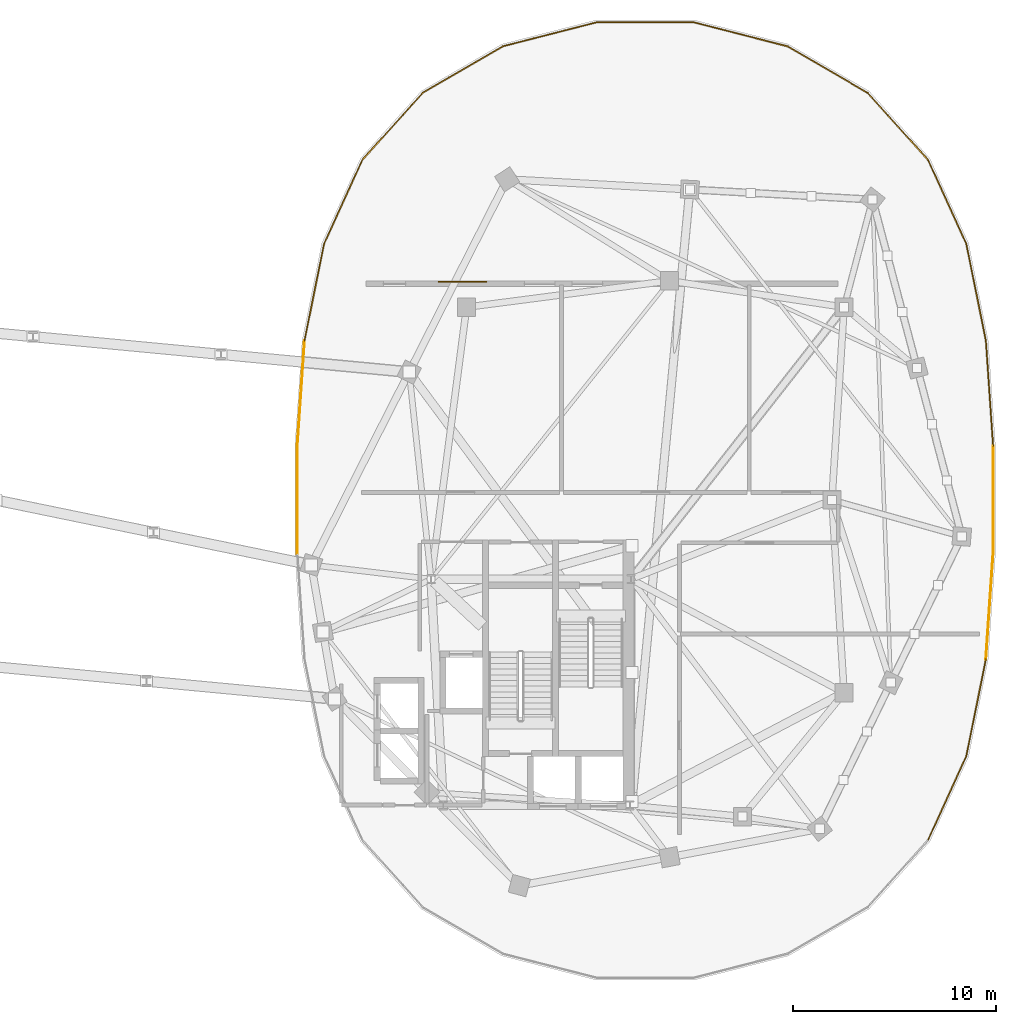
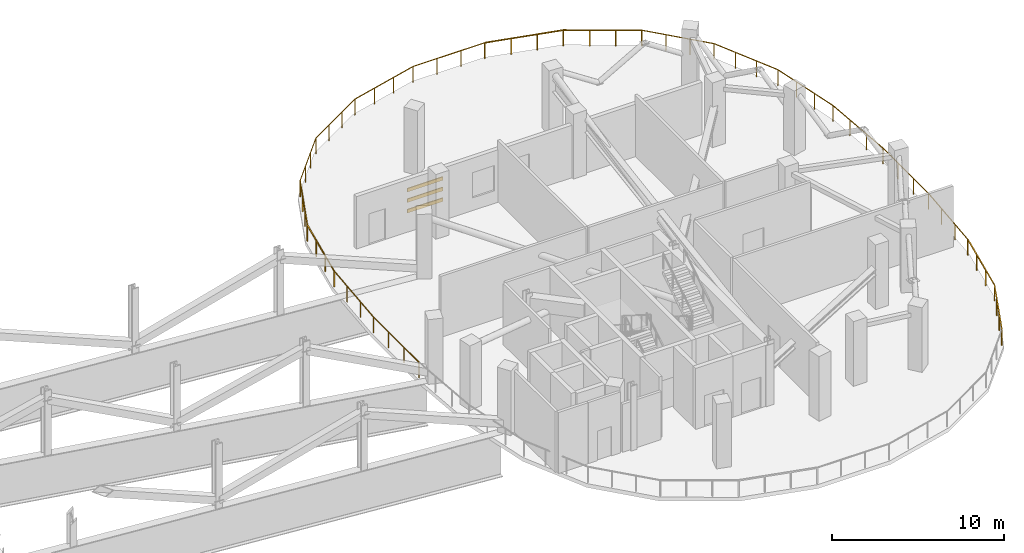
# One storey, part 16 of 16: 9 railings, 3 shading devices.
"""IFC4 building model written with IfcOpenShell, lengths in metres."""

from ifc_helpers import new_model, si_unit, direction, frame, origin, origin_2d, place, context, subcontext, project, spatial, rectangle, extrude, material, material_profile, profile_set, type_object, element, save


model = new_model("IFC4")

# Units and contexts
model_context = context("Model", 3, precision=1e-05, world=origin(), true_north=direction((0.0, 1.0)))
body_context = subcontext(model_context, "Body", "Model", "MODEL_VIEW")
ifc_project = project(units=[si_unit("LENGTHUNIT", "METRE"), si_unit("AREAUNIT", "SQUARE_METRE"), si_unit("VOLUMEUNIT", "CUBIC_METRE"), si_unit("PLANEANGLEUNIT", "RADIAN"), si_unit("MASSUNIT", "GRAM", prefix="KILO"), si_unit("THERMODYNAMICTEMPERATUREUNIT", "KELVIN"), si_unit("POWERUNIT", "WATT")], contexts=[model_context])

# Site, building, storey
site_placement = place(None, origin())
site = spatial("IfcSite", under=ifc_project, at=site_placement, CompositionType="ELEMENT")
building_placement = place(site_placement, origin())
building = spatial("IfcBuilding", under=site, at=building_placement, Name="Cundina Bronze Exchange", CompositionType="ELEMENT")
storey_placement = place(building_placement, frame((0.0, 0.0, 235.0)))
storey = spatial("IfcBuildingStorey", under=building, at=storey_placement, Name="L62", CompositionType="ELEMENT", Elevation=235.0)

# Railings
ifc_material = material(Name="Anodised Bronze Aluminium 6063-T6", Category="aluminium")
railing_type = type_object("IfcRailingType", Name="RLG-GRD-1150", PredefinedType="GUARDRAIL", material=ifc_material)
railing_1_placement = place(storey_placement, frame((49.14208984375, 2.660888671875, 0.0)))
element("IfcRailing", 1, at=railing_1_placement, inside=storey, type_object=railing_type, Name="L62 Perimeter Safety Guardrail 01", PredefinedType="GUARDRAIL", context=body_context, shape_type="SweptSolid", body=[
    extrude(rectangle(XDim=0.048095703125, YDim=0.048095703125, at=origin_2d()), frame((0.0, 0.0, 1.1259765625), z_axis=(0.0, -1.0, 0.0), x_axis=(1.0, 0.0, 0.0)), (0.0, 0.0, 1.0), 5.32177734375),
    extrude(rectangle(XDim=0.048095703125, YDim=0.048095703125, at=origin_2d()), frame((0.0, -5.32177734375, 1.1259765625), z_axis=(-0.068548934488, -0.997647755263, 0.0), x_axis=(0.997647755263, -0.068548934488, 0.0)), (0.0, 0.0, 1.0), 5.1962890625),
    extrude(rectangle(XDim=0.0419921875, YDim=0.0419921875, at=origin_2d()), origin(), (0.0, 0.0, 1.0), 1.101806640625),
    extrude(rectangle(XDim=0.0419921875, YDim=0.0419921875, at=origin_2d()), frame((0.0, -1.77392578125, 0.0)), (0.0, 0.0, 1.0), 1.101806640625),
    extrude(rectangle(XDim=0.0419921875, YDim=0.0419921875, at=origin_2d()), frame((0.0, -3.5478515625, 0.0)), (0.0, 0.0, 1.0), 1.101806640625),
    extrude(rectangle(XDim=0.0419921875, YDim=0.0419921875, at=origin_2d()), frame((0.0, -5.32177734375, 0.0)), (0.0, 0.0, 1.0), 1.101806640625),
    extrude(rectangle(XDim=0.0419921875, YDim=0.0419921875, at=origin_2d()), frame((-0.11865234375, -7.0498046875, 0.0)), (0.0, 0.0, 1.0), 1.101806640625),
    extrude(rectangle(XDim=0.0419921875, YDim=0.0419921875, at=origin_2d()), frame((-0.237548828125, -8.77783203125, 0.0)), (0.0, 0.0, 1.0), 1.101806640625),
    extrude(rectangle(XDim=0.0419921875, YDim=0.0419921875, at=origin_2d()), frame((-0.356201171875, -10.505859375, 0.0)), (0.0, 0.0, 1.0), 1.101806640625),
])
railing_2_placement = place(storey_placement, frame((48.785888671875, -7.844970703125, 0.0)))
element("IfcRailing", 2, at=railing_2_placement, inside=storey, type_object=railing_type, Name="L62 Perimeter Safety Guardrail 02", PredefinedType="GUARDRAIL", context=body_context, shape_type="SweptSolid", body=[
    extrude(rectangle(XDim=0.048095703125, YDim=0.048095703125, at=origin_2d()), frame((0.0, 0.0, 1.1259765625), z_axis=(-0.198060616224, -0.980189773616, 0.0), x_axis=(0.980189773616, -0.198060616224, 0.0)), (0.0, 0.0, 1.0), 4.87646484375),
    extrude(rectangle(XDim=0.048095703125, YDim=0.048095703125, at=origin_2d()), frame((-0.9658203125, -4.77978515625, 1.1259765625), z_axis=(-0.415419797692, -0.909629810244, 0.0), x_axis=(0.909629810244, -0.415419797692, 0.0)), (0.0, 0.0, 1.0), 4.548828125),
    extrude(rectangle(XDim=0.0419921875, YDim=0.0419921875, at=origin_2d()), origin(), (0.0, 0.0, 1.0), 1.101806640625),
    extrude(rectangle(XDim=0.0419921875, YDim=0.0419921875, at=origin_2d()), frame((-0.322021484375, -1.59326171875, 0.0)), (0.0, 0.0, 1.0), 1.101806640625),
    extrude(rectangle(XDim=0.0419921875, YDim=0.0419921875, at=origin_2d()), frame((-0.643798828125, -3.1865234375, 0.0)), (0.0, 0.0, 1.0), 1.101806640625),
    extrude(rectangle(XDim=0.0419921875, YDim=0.0419921875, at=origin_2d()), frame((-0.9658203125, -4.77978515625, 0.0)), (0.0, 0.0, 1.0), 1.101806640625),
    extrude(rectangle(XDim=0.0419921875, YDim=0.0419921875, at=origin_2d()), frame((-1.595703125, -6.158935546875, 0.0)), (0.0, 0.0, 1.0), 1.101806640625),
    extrude(rectangle(XDim=0.0419921875, YDim=0.0419921875, at=origin_2d()), frame((-2.2255859375, -7.538330078125, 0.0)), (0.0, 0.0, 1.0), 1.101806640625),
    extrude(rectangle(XDim=0.0419921875, YDim=0.0419921875, at=origin_2d()), frame((-2.85546875, -8.91748046875, 0.0)), (0.0, 0.0, 1.0), 1.101806640625),
])
railing_3_placement = place(storey_placement, frame((14.85791015625, -2.660888671875, 0.0)))
element("IfcRailing", 3, at=railing_3_placement, inside=storey, type_object=railing_type, Name="L62 Perimeter Safety Guardrail 08", PredefinedType="GUARDRAIL", context=body_context, shape_type="SweptSolid", body=[
    extrude(rectangle(XDim=0.048095703125, YDim=0.048095703125, at=origin_2d()), frame((0.0, 0.0, 1.1259765625), z_axis=(0.0, 1.0, 0.0), x_axis=(-1.0, 0.0, 0.0)), (0.0, 0.0, 1.0), 5.32177734375),
    extrude(rectangle(XDim=0.048095703125, YDim=0.048095703125, at=origin_2d()), frame((0.0, 5.32177734375, 1.1259765625), z_axis=(0.068548934488, 0.997647755263, 0.0), x_axis=(-0.997647755263, 0.068548934488, 0.0)), (0.0, 0.0, 1.0), 5.1962890625),
    extrude(rectangle(XDim=0.0419921875, YDim=0.0419921875, at=origin_2d()), origin(), (0.0, 0.0, 1.0), 1.101806640625),
    extrude(rectangle(XDim=0.0419921875, YDim=0.0419921875, at=origin_2d()), frame((0.0, 1.77392578125, 0.0)), (0.0, 0.0, 1.0), 1.101806640625),
    extrude(rectangle(XDim=0.0419921875, YDim=0.0419921875, at=origin_2d()), frame((0.0, 3.5478515625, 0.0)), (0.0, 0.0, 1.0), 1.101806640625),
    extrude(rectangle(XDim=0.0419921875, YDim=0.0419921875, at=origin_2d()), frame((0.0, 5.32177734375, 0.0)), (0.0, 0.0, 1.0), 1.101806640625),
    extrude(rectangle(XDim=0.0419921875, YDim=0.0419921875, at=origin_2d()), frame((0.11865234375, 7.0498046875, 0.0)), (0.0, 0.0, 1.0), 1.101806640625),
    extrude(rectangle(XDim=0.0419921875, YDim=0.0419921875, at=origin_2d()), frame((0.237548828125, 8.77783203125, 0.0)), (0.0, 0.0, 1.0), 1.101806640625),
    extrude(rectangle(XDim=0.0419921875, YDim=0.0419921875, at=origin_2d()), frame((0.356201171875, 10.505859375, 0.0)), (0.0, 0.0, 1.0), 1.101806640625),
])
railing_4_placement = place(storey_placement, frame((15.214111328125, 7.844970703125, 0.0)))
element("IfcRailing", 4, at=railing_4_placement, inside=storey, type_object=railing_type, Name="L62 Perimeter Safety Guardrail 09", PredefinedType="GUARDRAIL", context=body_context, shape_type="SweptSolid", body=[
    extrude(rectangle(XDim=0.048095703125, YDim=0.048095703125, at=origin_2d()), frame((0.0, 0.0, 1.1259765625), z_axis=(0.198060616224, 0.980189773616, 0.0), x_axis=(-0.980189773616, 0.198060616224, 0.0)), (0.0, 0.0, 1.0), 4.87646484375),
    extrude(rectangle(XDim=0.048095703125, YDim=0.048095703125, at=origin_2d()), frame((0.9658203125, 4.77978515625, 1.1259765625), z_axis=(0.415419797692, 0.909629810244, 0.0), x_axis=(-0.909629810244, 0.415419797692, 0.0)), (0.0, 0.0, 1.0), 4.548828125),
    extrude(rectangle(XDim=0.0419921875, YDim=0.0419921875, at=origin_2d()), origin(), (0.0, 0.0, 1.0), 1.101806640625),
    extrude(rectangle(XDim=0.0419921875, YDim=0.0419921875, at=origin_2d()), frame((0.322021484375, 1.59326171875, 0.0)), (0.0, 0.0, 1.0), 1.101806640625),
    extrude(rectangle(XDim=0.0419921875, YDim=0.0419921875, at=origin_2d()), frame((0.643798828125, 3.1865234375, 0.0)), (0.0, 0.0, 1.0), 1.101806640625),
    extrude(rectangle(XDim=0.0419921875, YDim=0.0419921875, at=origin_2d()), frame((0.9658203125, 4.77978515625, 0.0)), (0.0, 0.0, 1.0), 1.101806640625),
    extrude(rectangle(XDim=0.0419921875, YDim=0.0419921875, at=origin_2d()), frame((1.595703125, 6.158935546875, 0.0)), (0.0, 0.0, 1.0), 1.101806640625),
    extrude(rectangle(XDim=0.0419921875, YDim=0.0419921875, at=origin_2d()), frame((2.2255859375, 7.538330078125, 0.0)), (0.0, 0.0, 1.0), 1.101806640625),
    extrude(rectangle(XDim=0.0419921875, YDim=0.0419921875, at=origin_2d()), frame((2.85546875, 8.91748046875, 0.0)), (0.0, 0.0, 1.0), 1.101806640625),
])
railing_5_placement = place(storey_placement, frame((18.069580078125, 16.762451171875, 0.0)))
element("IfcRailing", 5, at=railing_5_placement, inside=storey, type_object=railing_type, Name="L62 Perimeter Safety Guardrail 10", PredefinedType="GUARDRAIL", context=body_context, shape_type="SweptSolid", body=[
    extrude(rectangle(XDim=0.048095703125, YDim=0.048095703125, at=origin_2d()), frame((0.0, 0.0, 1.1259765625), z_axis=(0.669381252421, 0.742919066189, 0.0), x_axis=(-0.742919066189, 0.669381252421, 0.0)), (0.0, 0.0, 1.0), 4.435546875),
    extrude(rectangle(XDim=0.048095703125, YDim=0.048095703125, at=origin_2d()), frame((2.968994140625, 3.295166015625, 1.1259765625), z_axis=(0.864468804017, 0.502686469762, 0.0), x_axis=(-0.502686469762, 0.864468804017, 0.0)), (0.0, 0.0, 1.0), 4.56396484375),
    extrude(rectangle(XDim=0.0419921875, YDim=0.0419921875, at=origin_2d()), origin(), (0.0, 0.0, 1.0), 1.101806640625),
    extrude(rectangle(XDim=0.0419921875, YDim=0.0419921875, at=origin_2d()), frame((0.98974609375, 1.098388671875, 0.0)), (0.0, 0.0, 1.0), 1.101806640625),
    extrude(rectangle(XDim=0.0419921875, YDim=0.0419921875, at=origin_2d()), frame((1.979248046875, 2.19677734375, 0.0)), (0.0, 0.0, 1.0), 1.101806640625),
    extrude(rectangle(XDim=0.0419921875, YDim=0.0419921875, at=origin_2d()), frame((2.968994140625, 3.295166015625, 0.0)), (0.0, 0.0, 1.0), 1.101806640625),
    extrude(rectangle(XDim=0.0419921875, YDim=0.0419921875, at=origin_2d()), frame((4.2841796875, 4.059814453125, 0.0)), (0.0, 0.0, 1.0), 1.101806640625),
    extrude(rectangle(XDim=0.0419921875, YDim=0.0419921875, at=origin_2d()), frame((5.59912109375, 4.82470703125, 0.0)), (0.0, 0.0, 1.0), 1.101806640625),
    extrude(rectangle(XDim=0.0419921875, YDim=0.0419921875, at=origin_2d()), frame((6.914306640625, 5.58935546875, 0.0)), (0.0, 0.0, 1.0), 1.101806640625),
])
railing_6_placement = place(storey_placement, frame((24.98388671875, 22.351806640625, 0.0)))
element("IfcRailing", 6, at=railing_6_placement, inside=storey, type_object=railing_type, Name="L62 Perimeter Safety Guardrail 11", PredefinedType="GUARDRAIL", context=body_context, shape_type="SweptSolid", body=[
    extrude(rectangle(XDim=0.048095703125, YDim=0.048095703125, at=origin_2d()), frame((0.0, 0.0, 1.1259765625), z_axis=(0.968744989664, 0.248058753123, 0.0), x_axis=(-0.248058753123, 0.968744989664, 0.0)), (0.0, 0.0, 1.0), 4.749755859375),
    extrude(rectangle(XDim=0.048095703125, YDim=0.048095703125, at=origin_2d()), frame((4.601318359375, 1.17822265625, 1.1259765625), z_axis=(1.0, 0.0, 0.0), x_axis=(0.0, 1.0, 0.0)), (0.0, 0.0, 1.0), 4.82958984375),
    extrude(rectangle(XDim=0.0419921875, YDim=0.0419921875, at=origin_2d()), origin(), (0.0, 0.0, 1.0), 1.101806640625),
    extrude(rectangle(XDim=0.0419921875, YDim=0.0419921875, at=origin_2d()), frame((1.53369140625, 0.392822265625, 0.0)), (0.0, 0.0, 1.0), 1.101806640625),
    extrude(rectangle(XDim=0.0419921875, YDim=0.0419921875, at=origin_2d()), frame((3.067626953125, 0.785400390625, 0.0)), (0.0, 0.0, 1.0), 1.101806640625),
    extrude(rectangle(XDim=0.0419921875, YDim=0.0419921875, at=origin_2d()), frame((4.601318359375, 1.17822265625, 0.0)), (0.0, 0.0, 1.0), 1.101806640625),
    extrude(rectangle(XDim=0.0419921875, YDim=0.0419921875, at=origin_2d()), frame((6.211181640625, 1.17822265625, 0.0)), (0.0, 0.0, 1.0), 1.101806640625),
    extrude(rectangle(XDim=0.0419921875, YDim=0.0419921875, at=origin_2d()), frame((7.821044921875, 1.17822265625, 0.0)), (0.0, 0.0, 1.0), 1.101806640625),
    extrude(rectangle(XDim=0.0419921875, YDim=0.0419921875, at=origin_2d()), frame((9.430908203125, 1.17822265625, 0.0)), (0.0, 0.0, 1.0), 1.101806640625),
])
railing_7_placement = place(storey_placement, frame((34.414794921875, 23.530029296875, 0.0)))
element("IfcRailing", 7, at=railing_7_placement, inside=storey, type_object=railing_type, Name="L62 Perimeter Safety Guardrail 12", PredefinedType="GUARDRAIL", context=body_context, shape_type="SweptSolid", body=[
    extrude(rectangle(XDim=0.048095703125, YDim=0.048095703125, at=origin_2d()), frame((0.0, 0.0, 1.1259765625), z_axis=(0.968744989664, -0.248058753123, 0.0), x_axis=(0.248058753123, 0.968744989664, 0.0)), (0.0, 0.0, 1.0), 4.749755859375),
    extrude(rectangle(XDim=0.048095703125, YDim=0.048095703125, at=origin_2d()), frame((4.601318359375, -1.17822265625, 1.1259765625), z_axis=(0.864468804017, -0.502686469762, 0.0), x_axis=(0.502686469762, 0.864468804017, 0.0)), (0.0, 0.0, 1.0), 4.56396484375),
    extrude(rectangle(XDim=0.0419921875, YDim=0.0419921875, at=origin_2d()), origin(), (0.0, 0.0, 1.0), 1.101806640625),
    extrude(rectangle(XDim=0.0419921875, YDim=0.0419921875, at=origin_2d()), frame((1.53369140625, -0.392822265625, 0.0)), (0.0, 0.0, 1.0), 1.101806640625),
    extrude(rectangle(XDim=0.0419921875, YDim=0.0419921875, at=origin_2d()), frame((3.067626953125, -0.785400390625, 0.0)), (0.0, 0.0, 1.0), 1.101806640625),
    extrude(rectangle(XDim=0.0419921875, YDim=0.0419921875, at=origin_2d()), frame((4.601318359375, -1.17822265625, 0.0)), (0.0, 0.0, 1.0), 1.101806640625),
    extrude(rectangle(XDim=0.0419921875, YDim=0.0419921875, at=origin_2d()), frame((5.91650390625, -1.94287109375, 0.0)), (0.0, 0.0, 1.0), 1.101806640625),
    extrude(rectangle(XDim=0.0419921875, YDim=0.0419921875, at=origin_2d()), frame((7.2314453125, -2.707763671875, 0.0)), (0.0, 0.0, 1.0), 1.101806640625),
    extrude(rectangle(XDim=0.0419921875, YDim=0.0419921875, at=origin_2d()), frame((8.546630859375, -3.472412109375, 0.0)), (0.0, 0.0, 1.0), 1.101806640625),
])
railing_8_placement = place(storey_placement, frame((42.96142578125, 20.0576171875, 0.0)))
element("IfcRailing", 8, at=railing_8_placement, inside=storey, type_object=railing_type, Name="L62 Perimeter Safety Guardrail 13", PredefinedType="GUARDRAIL", context=body_context, shape_type="SweptSolid", body=[
    extrude(rectangle(XDim=0.048095703125, YDim=0.048095703125, at=origin_2d()), frame((0.0, 0.0, 1.1259765625), z_axis=(0.669381252421, -0.742919066189, 0.0), x_axis=(0.742919066189, 0.669381252421, 0.0)), (0.0, 0.0, 1.0), 4.435546875),
    extrude(rectangle(XDim=0.048095703125, YDim=0.048095703125, at=origin_2d()), frame((2.968994140625, -3.295166015625, 1.1259765625), z_axis=(0.415419797692, -0.909629810244, 0.0), x_axis=(0.909629810244, 0.415419797692, 0.0)), (0.0, 0.0, 1.0), 4.548828125),
    extrude(rectangle(XDim=0.0419921875, YDim=0.0419921875, at=origin_2d()), origin(), (0.0, 0.0, 1.0), 1.101806640625),
    extrude(rectangle(XDim=0.0419921875, YDim=0.0419921875, at=origin_2d()), frame((0.98974609375, -1.098388671875, 0.0)), (0.0, 0.0, 1.0), 1.101806640625),
    extrude(rectangle(XDim=0.0419921875, YDim=0.0419921875, at=origin_2d()), frame((1.979248046875, -2.19677734375, 0.0)), (0.0, 0.0, 1.0), 1.101806640625),
    extrude(rectangle(XDim=0.0419921875, YDim=0.0419921875, at=origin_2d()), frame((2.968994140625, -3.295166015625, 0.0)), (0.0, 0.0, 1.0), 1.101806640625),
    extrude(rectangle(XDim=0.0419921875, YDim=0.0419921875, at=origin_2d()), frame((3.598876953125, -4.67431640625, 0.0)), (0.0, 0.0, 1.0), 1.101806640625),
    extrude(rectangle(XDim=0.0419921875, YDim=0.0419921875, at=origin_2d()), frame((4.228759765625, -6.0537109375, 0.0)), (0.0, 0.0, 1.0), 1.101806640625),
    extrude(rectangle(XDim=0.0419921875, YDim=0.0419921875, at=origin_2d()), frame((4.858642578125, -7.432861328125, 0.0)), (0.0, 0.0, 1.0), 1.101806640625),
])
railing_9_placement = place(storey_placement, frame((47.820068359375, 12.624755859375, 0.0)))
element("IfcRailing", 9, at=railing_9_placement, inside=storey, type_object=railing_type, Name="L62 Perimeter Safety Guardrail 14", PredefinedType="GUARDRAIL", context=body_context, shape_type="SweptSolid", body=[
    extrude(rectangle(XDim=0.048095703125, YDim=0.048095703125, at=origin_2d()), frame((0.0, 0.0, 1.1259765625), z_axis=(0.198060616224, -0.980189773616, 0.0), x_axis=(0.980189773616, 0.198060616224, 0.0)), (0.0, 0.0, 1.0), 4.87646484375),
    extrude(rectangle(XDim=0.048095703125, YDim=0.048095703125, at=origin_2d()), frame((0.9658203125, -4.77978515625, 1.1259765625), z_axis=(0.068548934488, -0.997647755263, 0.0), x_axis=(0.997647755263, 0.068548934488, 0.0)), (0.0, 0.0, 1.0), 5.1962890625),
    extrude(rectangle(XDim=0.0419921875, YDim=0.0419921875, at=origin_2d()), origin(), (0.0, 0.0, 1.0), 1.101806640625),
    extrude(rectangle(XDim=0.0419921875, YDim=0.0419921875, at=origin_2d()), frame((0.322021484375, -1.59326171875, 0.0)), (0.0, 0.0, 1.0), 1.101806640625),
    extrude(rectangle(XDim=0.0419921875, YDim=0.0419921875, at=origin_2d()), frame((0.643798828125, -3.1865234375, 0.0)), (0.0, 0.0, 1.0), 1.101806640625),
    extrude(rectangle(XDim=0.0419921875, YDim=0.0419921875, at=origin_2d()), frame((0.9658203125, -4.77978515625, 0.0)), (0.0, 0.0, 1.0), 1.101806640625),
    extrude(rectangle(XDim=0.0419921875, YDim=0.0419921875, at=origin_2d()), frame((1.08447265625, -6.5078125, 0.0)), (0.0, 0.0, 1.0), 1.101806640625),
    extrude(rectangle(XDim=0.0419921875, YDim=0.0419921875, at=origin_2d()), frame((1.203369140625, -8.23583984375, 0.0)), (0.0, 0.0, 1.0), 1.101806640625),
    extrude(rectangle(XDim=0.0419921875, YDim=0.0419921875, at=origin_2d()), frame((1.322021484375, -9.9638671875, 0.0)), (0.0, 0.0, 1.0), 1.101806640625),
])

# Shading devices
ifc_material_profile = material_profile(ifc_material, rectangle(XDim=0.06005859375, YDim=0.25, at=origin_2d()), Name="LVR60X250", Category="aluminium")
ifc_profile_set = profile_set([ifc_material_profile], Name="Anodised Bronze Aluminium 6063-T6")
shading_device_type = type_object("IfcShadingDeviceType", Name="SHD-LVR-BRZ250", PredefinedType="JALOUSIE", material=ifc_profile_set)
for number, where, z_axis, x_axis, name in (
    (10, (21.800048828125, 10.760009765625, 1.300048828125), (1.0, 0.0, 0.0), (0.0, 1.0, 0.0), "L62 Leg E Plant Intake Jalousie Louvre 1"),
    (11, (21.800048828125, 10.760009765625, 2.050048828125), (1.0, 0.0, 0.0), (0.0, 1.0, 0.0), "L62 Leg E Plant Intake Jalousie Louvre 2"),
    (12, (21.800048828125, 10.760009765625, 2.800048828125), (1.0, 0.0, 0.0), (0.0, 1.0, 0.0), "L62 Leg E Plant Intake Jalousie Louvre 3"),
):
    element("IfcShadingDevice", number, at=place(storey_placement, frame(where, z_axis=z_axis, x_axis=x_axis)), inside=storey, type_object=shading_device_type, Name=name, PredefinedType="JALOUSIE", context=body_context, shape_type="SweptSolid", body=[
        extrude(rectangle(XDim=0.06005859375, YDim=0.25, at=origin_2d()), origin(), (0.0, 0.0, 1.0), 2.39990234375),
    ])

save(model, "model.ifc")
